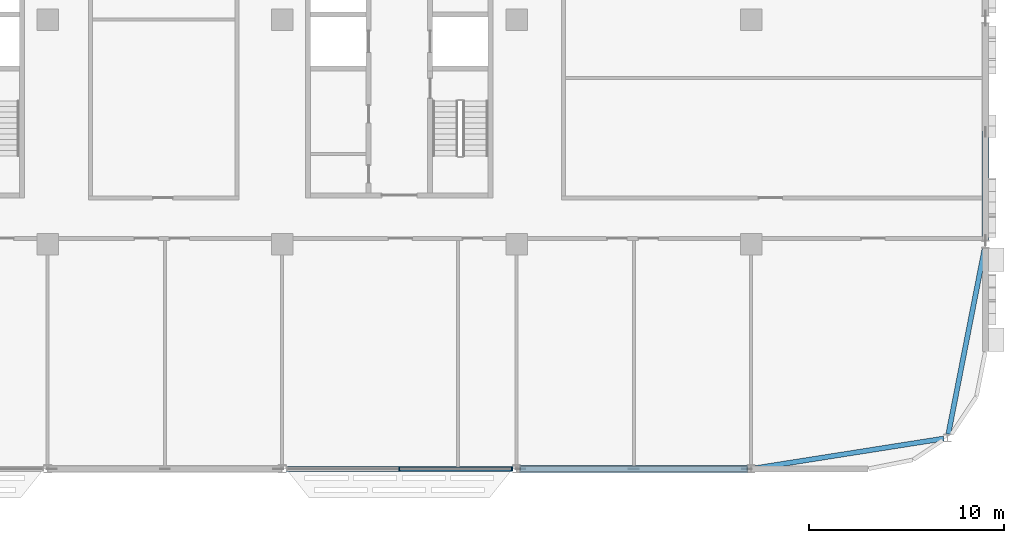
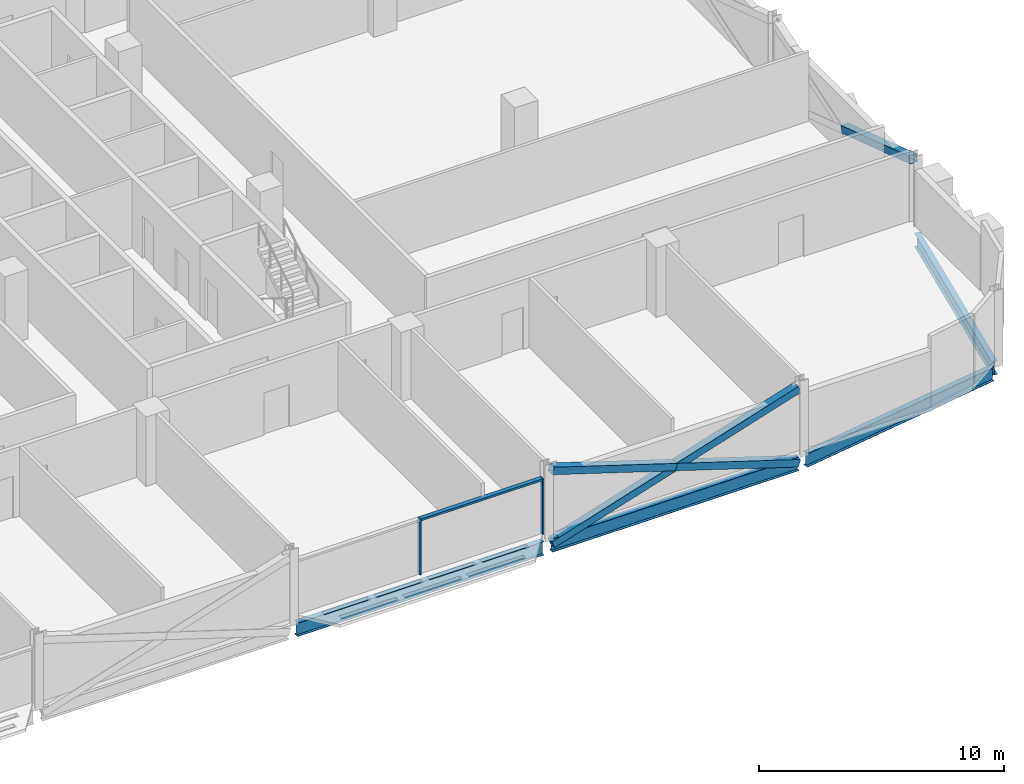
# One storey, part 9 of 30: 7 members, 4 beams, 1 element without a shape of its own.
"""IFC4 building model written with IfcOpenShell, lengths in metres."""

from ifc_helpers import new_model, si_unit, direction, frame, origin, origin_2d, place, context, subcontext, project, spatial, rectangle, hollow_rectangle, i_section, extrude, material, material_profile, profile_set, type_object, element, aggregate, save


model = new_model("IFC4")

# Units and contexts
model_context = context("Model", 3, precision=1e-05, world=origin(), true_north=direction((0.0, 1.0)))
body_context = subcontext(model_context, "Body", "Model", "MODEL_VIEW")
ifc_project = project(units=[si_unit("LENGTHUNIT", "METRE"), si_unit("AREAUNIT", "SQUARE_METRE"), si_unit("VOLUMEUNIT", "CUBIC_METRE"), si_unit("PLANEANGLEUNIT", "RADIAN"), si_unit("MASSUNIT", "GRAM", prefix="KILO")], contexts=[model_context])

# Site, building, storey
site_placement = place(None, origin())
site = spatial("IfcSite", under=ifc_project, at=site_placement, CompositionType="ELEMENT")
building_placement = place(site_placement, origin())
building = spatial("IfcBuilding", under=site, at=building_placement, Name="Mahtab Terrace Research Tower", CompositionType="ELEMENT")
storey_placement = place(building_placement, frame((0.0, 0.0, 205.300048828125)))
storey = spatial("IfcBuildingStorey", under=building, at=storey_placement, Name="L49", CompositionType="ELEMENT", Elevation=205.300048828125)

# Members
ifc_material_1 = material(Name="Steel ASTM A500 Gr C", Category="steel")
ifc_material_profile_1 = material_profile(ifc_material_1, hollow_rectangle(XDim=0.355712890625, YDim=0.355712890625, WallThickness=0.015869140625, at=origin_2d()), Name="HSS14X14X5/8")
ifc_profile_set_1 = profile_set([ifc_material_profile_1], Name="Steel ASTM A500 Gr C")
member_type_1 = type_object("IfcMemberType", Name="HSS 14x14x5/8 brace XB141458", PredefinedType="BRACE", material=ifc_profile_set_1)
member_1_placement = place(storey_placement, frame((30.20068359375, -23.0, -0.61572265625), z_axis=(0.953337604941, 0.0, 0.301906295073), x_axis=(0.0, 1.0, 0.0)))
element("IfcMember", 1, at=member_1_placement, inside=storey, type_object=member_type_1, Name="Exoskeleton brace L49 19 a", PredefinedType="BRACE", context=body_context, shape_type="SweptSolid", body=[
    extrude(hollow_rectangle(XDim=0.355712890625, YDim=0.355712890625, WallThickness=0.015869140625, at=origin_2d()), origin(), (0.0, 0.0, 1.0), 12.166259765625),
])
for number, where, z_axis, x_axis, name in (
    (2, (41.79931640625, -23.0, -0.61572265625), (-0.953331829178, 0.0, 0.301924532749), (0.0, -1.0, 0.0), "Exoskeleton brace L49 19 b1"),
    (3, (36.0, -23.0, 1.220947265625), (-0.953343380425, 0.0, 0.301888057067), (0.0, -1.0, 0.0), "Exoskeleton brace L49 19 b2"),
):
    element("IfcMember", number, at=place(storey_placement, frame(where, z_axis=z_axis, x_axis=x_axis)), inside=storey, type_object=member_type_1, Name=name, PredefinedType="BRACE", context=body_context, shape_type="SweptSolid", body=[
        extrude(hollow_rectangle(XDim=0.355712890625, YDim=0.355712890625, WallThickness=0.015869140625, at=origin_2d()), origin(), (0.0, 0.0, 1.0), 6.083251953125),
    ])
member_2_placement = place(storey_placement, frame((54.0, -5.75, 1.220947265625), z_axis=(0.0, -0.949511130933, 0.313733345748), x_axis=(1.0, 0.0, 0.0)))
element("IfcMember", 4, at=member_2_placement, inside=storey, type_object=member_type_1, Name="Exoskeleton brace L49 22 b2", PredefinedType="BRACE", context=body_context, shape_type="SweptSolid", body=[
    extrude(hollow_rectangle(XDim=0.355712890625, YDim=0.355712890625, WallThickness=0.015869140625, at=origin_2d()), origin(), (0.0, 0.0, 1.0), 5.845703125),
])

# Curtain wall, members
ifc_material_2 = material(Name="Laboratory ribbon curtain wall")
curtain_wall_type = type_object("IfcCurtainWallType", Name="Laboratory ribbon curtain wall", PredefinedType="NOTDEFINED", material=ifc_material_2)
curtain_wall_placement = place(storey_placement, origin())
curtain_wall = element("IfcCurtainWall", 5, at=curtain_wall_placement, inside=storey, type_object=curtain_wall_type, Name="EN.L49.13.28", PredefinedType="NOTDEFINED")
ifc_material_3 = material(Name="Natural anodised aluminium", Category="aluminium")
ifc_material_profile_2 = material_profile(ifc_material_3, rectangle(XDim=0.199951171875, YDim=0.06494140625, at=origin_2d()), Name="MULLION 65x200")
ifc_profile_set_2 = profile_set([ifc_material_profile_2], Name="Natural anodised aluminium")
member_type_2 = type_object("IfcMemberType", Name="Laboratory ribbon curtain wall mullion", PredefinedType="MULLION", material=ifc_profile_set_2)
member_3_placement = place(storey_placement, frame((24.0, -23.0, 0.0), z_axis=(0.0, 0.0, 1.0), x_axis=(0.0, 1.0, 0.0)))
member_3 = element("IfcMember", 6, at=member_3_placement, type_object=member_type_2, Name="CWL-6 mullion 2", PredefinedType="MULLION", context=body_context, shape_type="SweptSolid", body=[
    extrude(rectangle(XDim=0.199951171875, YDim=0.06494140625, at=origin_2d()), origin(), (0.0, 0.0, 1.0), 2.78173828125),
])
member_4_placement = place(storey_placement, frame((29.767578125, -23.0, 0.0), z_axis=(0.0, 0.0, 1.0), x_axis=(0.0, 1.0, 0.0)))
member_4 = element("IfcMember", 7, at=member_4_placement, type_object=member_type_2, Name="CWL-6 mullion 3", PredefinedType="MULLION", context=body_context, shape_type="SweptSolid", body=[
    extrude(rectangle(XDim=0.199951171875, YDim=0.06494140625, at=origin_2d()), origin(), (0.0, 0.0, 1.0), 2.78173828125),
])
ifc_material_profile_3 = material_profile(ifc_material_3, rectangle(XDim=0.199951171875, YDim=0.10009765625, at=origin_2d()), Name="TRANSOM 100x200")
ifc_profile_set_3 = profile_set([ifc_material_profile_3], Name="Natural anodised aluminium")
member_type_3 = type_object("IfcMemberType", Name="Laboratory ribbon curtain wall transom", PredefinedType="USERDEFINED", material=ifc_profile_set_3)
member_5_placement = place(storey_placement, frame((24.032470703125, -23.0, 2.731689453125), z_axis=(1.0, 0.0, 0.0), x_axis=(0.0, 1.0, 0.0)))
member_5 = element("IfcMember", 8, at=member_5_placement, type_object=member_type_3, Name="CWL-6 transom 2", ObjectType="TRANSOM", PredefinedType="USERDEFINED", context=body_context, shape_type="SweptSolid", body=[
    extrude(rectangle(XDim=0.199951171875, YDim=0.10009765625, at=origin_2d()), origin(), (0.0, 0.0, 1.0), 5.70263671875),
])
aggregate(curtain_wall, [member_3, member_4, member_5])

# Beams
ifc_material_4 = material(Name="Steel ASTM A992 Gr 50", Category="steel")
ifc_material_profile_4 = material_profile(ifc_material_4, i_section(OverallWidth=0.25390625, OverallDepth=0.67822265625, WebThickness=0.01171875, FlangeThickness=0.016357421875, at=origin_2d()), Name="W27X84")
ifc_profile_set_4 = profile_set([ifc_material_profile_4], Name="Steel ASTM A992 Gr 50")
beam_type = type_object("IfcBeamType", Name="W27x84 beam BS2784", PredefinedType="BEAM", material=ifc_profile_set_4)
for number, where, z_axis, x_axis, name in (
    (9, (18.20068359375, -23.0, -0.67919921875), (1.0, 0.0, 0.0), (0.0, 1.0, 0.0), "Spandrel beam L49 18"),
    (10, (30.20068359375, -23.0, -0.67919921875), (1.0, 0.0, 0.0), (0.0, 1.0, 0.0), "Spandrel beam L49 19"),
):
    element("IfcBeam", number, at=place(storey_placement, frame(where, z_axis=z_axis, x_axis=x_axis)), inside=storey, type_object=beam_type, Name=name, PredefinedType="BEAM", context=body_context, shape_type="SweptSolid", body=[
        extrude(i_section(OverallWidth=0.25390625, OverallDepth=0.67822265625, WebThickness=0.01171875, FlangeThickness=0.016357421875, at=origin_2d()), origin(), (0.0, 0.0, 1.0), 11.5986328125),
    ])
beam_1_placement = place(storey_placement, frame((42.20068359375, -22.968505859375, -0.67919921875), z_axis=(0.987831689273, 0.155526697604, 0.0), x_axis=(-0.155526697604, 0.987831689273, 0.0)))
element("IfcBeam", 11, at=beam_1_placement, inside=storey, type_object=beam_type, Name="Spandrel beam L49 20", PredefinedType="BEAM", context=body_context, shape_type="SweptSolid", body=[
    extrude(i_section(OverallWidth=0.25390625, OverallDepth=0.67822265625, WebThickness=0.01171875, FlangeThickness=0.016357421875, at=origin_2d()), origin(), (0.0, 0.0, 1.0), 9.779541015625),
])
beam_2_placement = place(storey_placement, frame((52.10107421875, -21.216552734375, -0.67919921875), z_axis=(0.191795474732, 0.981434916779, 0.0), x_axis=(-0.981434916779, 0.191795474732, 0.0)))
element("IfcBeam", 12, at=beam_2_placement, inside=storey, type_object=beam_type, Name="Spandrel beam L49 21", PredefinedType="BEAM", context=body_context, shape_type="SweptSolid", body=[
    extrude(i_section(OverallWidth=0.25390625, OverallDepth=0.67822265625, WebThickness=0.01171875, FlangeThickness=0.016357421875, at=origin_2d()), origin(), (0.0, 0.0, 1.0), 9.697021484375),
])

save(model, "model.ifc")
